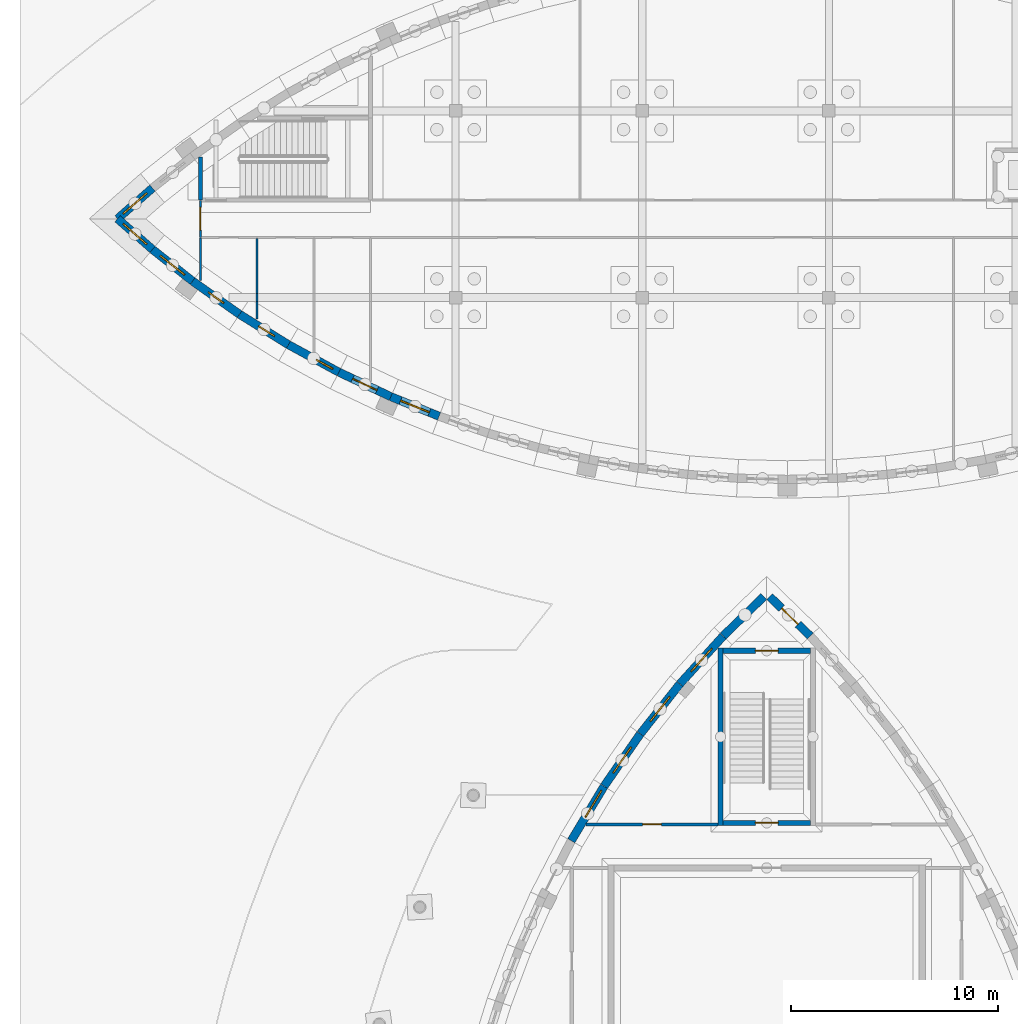
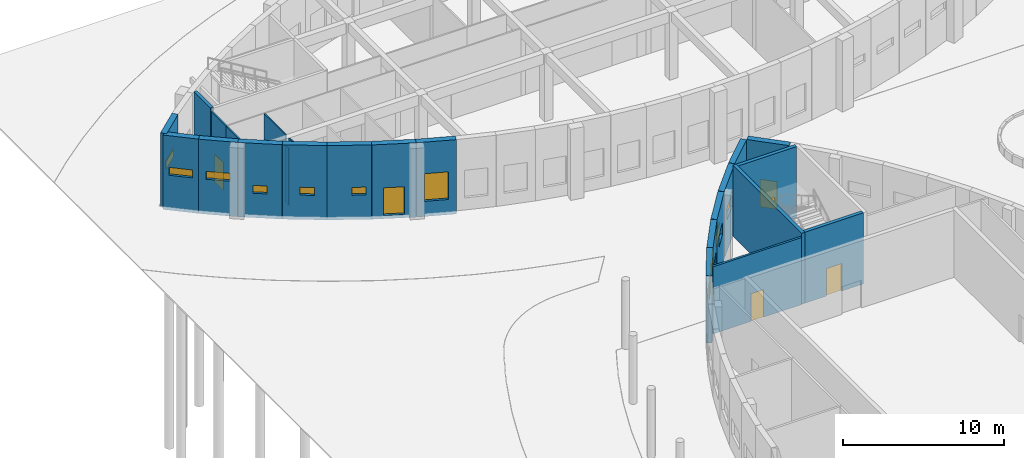
# One storey, part 55 of 82: 24 walls, 11 windows, 6 doors, 17 openings.
"""IFC4 building model written with IfcOpenShell, lengths in metres."""

from ifc_helpers import new_model, si_unit, direction, frame, frame_2d, origin, place, context, subcontext, project, spatial, rectangle, extrude, material, layer, layer_set, type_object, element, fill, save


model = new_model("IFC4")

# Units and contexts
model_context = context("Model", 3, precision=1e-05, world=origin(), true_north=direction((0.0, 1.0)))
body_context = subcontext(model_context, "Body", "Model", "MODEL_VIEW")
ifc_project = project(units=[si_unit("LENGTHUNIT", "METRE"), si_unit("AREAUNIT", "SQUARE_METRE"), si_unit("VOLUMEUNIT", "CUBIC_METRE"), si_unit("PLANEANGLEUNIT", "RADIAN"), si_unit("MASSUNIT", "GRAM", prefix="KILO")], contexts=[model_context])

# Site, building, storey
site_placement = place(None, origin())
site = spatial("IfcSite", under=ifc_project, at=site_placement, CompositionType="ELEMENT")
building_placement = place(site_placement, origin())
building = spatial("IfcBuilding", under=site, at=building_placement, Name="Tide Square Theatres", CompositionType="ELEMENT")
storey_placement = place(building_placement, origin())
storey = spatial("IfcBuildingStorey", under=building, at=storey_placement, Name="L00", CompositionType="ELEMENT", Elevation=0.0)

# Wall
ifc_material_1 = material(Name="Gypsum board on steel studs", Category="steel")
ifc_layer_1 = layer(ifc_material_1, 0.10009765625)
ifc_layer_set_1 = layer_set([ifc_layer_1], Name="Gypsum board on steel studs")
wall_type_1 = type_object("IfcWallType", Name="Partition 100 thick", PredefinedType="PARTITIONING", material=ifc_layer_set_1)
wall_1_placement = place(storey_placement, frame((8.699951171875, 94.8291015625, 0.0), z_axis=(0.0, 0.0, 1.0), x_axis=(0.0, 1.0, 0.0)))
element("IfcWall", 1, at=wall_1_placement, inside=storey, type_object=wall_type_1, Name="Scenery Workshops partition", PredefinedType="PARTITIONING", context=body_context, shape_type="SweptSolid", body=[
    extrude(rectangle(XDim=2.041015625, YDim=0.10009765625, at=frame_2d((1.0205078125, 0.0))), origin(), (0.0, 0.0, 1.0), 5.1201171875),
])

# Wall, opening, door
wall_2_placement = place(storey_placement, frame((8.699951171875, 96.89990234375, 0.0), z_axis=(0.0, 0.0, 1.0), x_axis=(0.0, 1.0, 0.0)))
wall_2 = element("IfcWall", 2, at=wall_2_placement, inside=storey, type_object=wall_type_1, Name="Scenery Workshops partition", PredefinedType="PARTITIONING", context=body_context, shape_type="SweptSolid", body=[
    extrude(rectangle(XDim=1.77001953125, YDim=0.10009765625, at=frame_2d((0.885009765625, 0.0))), origin(), (0.0, 0.0, 1.0), 5.1201171875),
])
opening_1_placement = place(wall_2_placement, frame((0.35009765625, 0.0, 0.0)))
opening_1 = element("IfcOpeningElement", 3, at=opening_1_placement, cuts=wall_2, Name="Opening W0-11", PredefinedType="OPENING", context=body_context, shape_type="SweptSolid", body=[
    extrude(rectangle(XDim=1.10009765625, YDim=2.10009765625, at=frame_2d((0.550048828125, 1.050048828125))), frame((0.0, 0.06005859375, 0.0), z_axis=(0.0, -1.0, 0.0), x_axis=(1.0, 0.0, 0.0)), (0.0, 0.0, 1.0), 0.1201171875),
])
ifc_material_2 = material(Name="Painted steel", Category="steel")
door_type_1 = type_object("IfcDoorType", Name="Door 1100 x 2100 single leaf", OperationType="NOTDEFINED", PredefinedType="DOOR", material=ifc_material_2)
door_1_placement = place(opening_1_placement, origin())
door_1 = element("IfcDoor", 4, at=door_1_placement, inside=storey, type_object=door_type_1, Name="Scenery Workshops door W0-11 to Plant Room W", OperationType="SINGLE_SWING_RIGHT", OverallHeight=2.10009765625, OverallWidth=1.10009765625, PredefinedType="DOOR", context=body_context, shape_type="SweptSolid", body=[
    extrude(rectangle(XDim=1.10009765625, YDim=2.10009765625, at=frame_2d((0.550048828125, 1.050048828125))), frame((0.0, 0.02490234375, 0.0), z_axis=(0.0, -1.0, 0.0), x_axis=(1.0, 0.0, 0.0)), (0.0, 0.0, 1.0), 0.050048828125),
])
fill(opening_1, door_1)

# Walls
wall_3_placement = place(storey_placement, frame((11.433349609375, 96.860107421875, 0.0), z_axis=(0.0, 0.0, 1.0), x_axis=(0.0, -1.0, 0.0)))
element("IfcWall", 5, at=wall_3_placement, inside=storey, type_object=wall_type_1, Name="Scenery Workshops partition", PredefinedType="PARTITIONING", context=body_context, shape_type="SweptSolid", body=[
    extrude(rectangle(XDim=2.66015625, YDim=0.10009765625, at=frame_2d((1.330078125, 0.0))), origin(), (0.0, 0.0, 1.0), 5.1201171875),
])
wall_4_placement = place(storey_placement, frame((11.433349609375, 94.199951171875, 0.0), z_axis=(0.0, 0.0, 1.0), x_axis=(0.0, -1.0, 0.0)))
element("IfcWall", 6, at=wall_4_placement, inside=storey, type_object=wall_type_1, Name="Scenery Workshops partition", PredefinedType="PARTITIONING", context=body_context, shape_type="SweptSolid", body=[
    extrude(rectangle(XDim=0.39990234375, YDim=0.10009765625, at=frame_2d((0.199951171875, 0.0))), origin(), (0.0, 0.0, 1.0), 4.320068359375),
])
wall_5_placement = place(storey_placement, frame((11.433349609375, 93.800048828125, 0.0), z_axis=(0.0, 0.0, 1.0), x_axis=(0.0, -1.0, 0.0)))
element("IfcWall", 7, at=wall_5_placement, inside=storey, type_object=wall_type_1, Name="Scenery Workshops partition", PredefinedType="PARTITIONING", context=body_context, shape_type="SweptSolid", body=[
    extrude(rectangle(XDim=0.84033203125, YDim=0.10009765625, at=frame_2d((0.420166015625, 0.0))), origin(), (0.0, 0.0, 1.0), 5.1201171875),
])

# Wall, opening, door
ifc_material_3 = material(Name="Gypsum board on steel studs", Category="steel")
ifc_layer_2 = layer(ifc_material_3, 0.14990234375)
ifc_layer_set_2 = layer_set([ifc_layer_2], Name="Gypsum board on steel studs")
wall_type_2 = type_object("IfcWallType", Name="Partition 150 thick", PredefinedType="PARTITIONING", material=ifc_layer_set_2)
wall_6_placement = place(storey_placement, frame((27.2841796875, 68.60009765625, 0.0), z_axis=(0.0, 0.0, 1.0), x_axis=(1.0, 0.0, 0.0)))
wall_6 = element("IfcWall", 8, at=wall_6_placement, inside=storey, type_object=wall_type_2, Name="Studio Theatre partition", PredefinedType="PARTITIONING", context=body_context, shape_type="SweptSolid", body=[
    extrude(rectangle(XDim=6.3662109375, YDim=0.14990234375, at=frame_2d((3.18310546875, 0.0))), origin(), (0.0, 0.0, 1.0), 5.10009765625),
])
opening_2_placement = place(wall_6_placement, frame((2.733154296875, 0.0, 0.0)))
opening_2 = element("IfcOpeningElement", 9, at=opening_2_placement, cuts=wall_6, Name="Opening S00-11", PredefinedType="OPENING", context=body_context, shape_type="SweptSolid", body=[
    extrude(rectangle(XDim=0.89990234375, YDim=2.10009765625, at=frame_2d((0.449951171875, 1.050048828125))), frame((0.0, 0.0849609375, 0.0), z_axis=(0.0, -1.0, 0.0), x_axis=(1.0, 0.0, 0.0)), (0.0, 0.0, 1.0), 0.169921875),
])
ifc_material_4 = material(Name="Hardwood timber", Category="wood")
door_type_2 = type_object("IfcDoorType", Name="Door 900 x 2100 single leaf", OperationType="NOTDEFINED", PredefinedType="DOOR", material=ifc_material_4)
door_2_placement = place(opening_2_placement, origin())
door_2 = element("IfcDoor", 10, at=door_2_placement, inside=storey, type_object=door_type_2, Name="Lighting Store door", OperationType="SINGLE_SWING_RIGHT", OverallHeight=2.10009765625, OverallWidth=0.89990234375, PredefinedType="DOOR", context=body_context, shape_type="SweptSolid", body=[
    extrude(rectangle(XDim=0.89990234375, YDim=2.10009765625, at=frame_2d((0.449951171875, 1.050048828125))), frame((0.0, 0.02490234375, 0.0), z_axis=(0.0, -1.0, 0.0), x_axis=(1.0, 0.0, 0.0)), (0.0, 0.0, 1.0), 0.050048828125),
])
fill(opening_2, door_2)

ifc_material_5 = material(Name="Concrete C40", Category="concrete")
ifc_layer_3 = layer(ifc_material_5, 0.39990234375)
ifc_layer_set_3 = layer_set([ifc_layer_3], Name="Concrete C40")
wall_type_3 = type_object("IfcWallType", Name="RC curved wall 400 thick", PredefinedType="SOLIDWALL", material=ifc_layer_set_3)
wall_7_placement = place(storey_placement, frame((38.094482421875, 77.686279296875, 0.0), z_axis=(0.0, 0.0, 1.0), x_axis=(-0.717243568607, 0.696822547922, 0.0)))
wall_7 = element("IfcWall", 11, at=wall_7_placement, inside=storey, type_object=wall_type_3, Name="Studio Theatre perimeter wall", PredefinedType="SOLIDWALL", context=body_context, shape_type="SweptSolid", body=[
    extrude(rectangle(XDim=2.725830078125, YDim=0.39990234375, at=frame_2d((1.36279296875, 0.0))), origin(), (0.0, 0.0, 1.0), 5.10009765625),
])
opening_3_placement = place(wall_7_placement, frame((0.81298828125, 0.0, 0.0)))
opening_3 = element("IfcOpeningElement", 12, at=opening_3_placement, cuts=wall_7, Name="Opening S00-04", PredefinedType="OPENING", context=body_context, shape_type="SweptSolid", body=[
    extrude(rectangle(XDim=1.10009765625, YDim=2.10009765625, at=frame_2d((0.550048828125, 1.050048828125))), frame((0.0, 0.2099609375, 0.0), z_axis=(0.0, -1.0, 0.0), x_axis=(1.0, 0.0, 0.0)), (0.0, 0.0, 1.0), 0.419921875),
])
door_3_placement = place(opening_3_placement, frame((1.10009765625, 0.0, 0.0), z_axis=(0.0, 0.0, 1.0), x_axis=(-1.0, 0.0, 0.0)))
door_3 = element("IfcDoor", 13, at=door_3_placement, inside=storey, type_object=door_type_1, Name="Studio Theatre exit passage door 1", OperationType="SINGLE_SWING_LEFT", OverallHeight=2.10009765625, OverallWidth=1.10009765625, PredefinedType="DOOR", context=body_context, shape_type="SweptSolid", body=[
    extrude(rectangle(XDim=1.10009765625, YDim=2.10009765625, at=frame_2d((0.550048828125, 1.050048828125))), frame((0.0, 0.02490234375, 0.0), z_axis=(0.0, -1.0, 0.0), x_axis=(1.0, 0.0, 0.0)), (0.0, 0.0, 1.0), 0.050048828125),
])
fill(opening_3, door_3)

# Wall
wall_8_placement = place(storey_placement, frame((35.860595703125, 79.585693359375, 0.0), z_axis=(0.0, 0.0, 1.0), x_axis=(-0.717243568607, -0.696822547922, 0.0)))
element("IfcWall", 14, at=wall_8_placement, inside=storey, type_object=wall_type_3, Name="Studio Theatre perimeter wall", PredefinedType="SOLIDWALL", context=body_context, shape_type="SweptSolid", body=[
    extrude(rectangle(XDim=2.725830078125, YDim=0.39990234375, at=frame_2d((1.36279296875, 0.0))), origin(), (0.0, 0.0, 1.0), 5.10009765625),
])

# Wall, opening, window
wall_9_placement = place(storey_placement, frame((33.896484375, 77.677001953125, 0.0), z_axis=(0.0, 0.0, 1.0), x_axis=(-0.67038553216, -0.742012963681, 0.0)))
wall_9 = element("IfcWall", 15, at=wall_9_placement, inside=storey, type_object=wall_type_3, Name="Studio Theatre perimeter wall", PredefinedType="SOLIDWALL", context=body_context, shape_type="SweptSolid", body=[
    extrude(rectangle(XDim=3.101806640625, YDim=0.39990234375, at=frame_2d((1.55078125, 0.0))), origin(), (0.0, 0.0, 1.0), 5.10009765625),
])
opening_4_placement = place(wall_9_placement, frame((0.80078125, 0.0, 2.39990234375)))
opening_4 = element("IfcOpeningElement", 16, at=opening_4_placement, cuts=wall_9, Name="Opening WN-04", PredefinedType="OPENING", context=body_context, shape_type="SweptSolid", body=[
    extrude(rectangle(XDim=1.5, YDim=0.89990234375, at=frame_2d((0.75, 0.449951171875))), frame((0.0, 0.2099609375, 0.0), z_axis=(0.0, -1.0, 0.0), x_axis=(1.0, 0.0, 0.0)), (0.0, 0.0, 1.0), 0.419921875),
])
ifc_material_6 = material(Name="Aluminium with laminated glass", Category="aluminium")
window_type_1 = type_object("IfcWindowType", Name="Window 1500 x 900", PartitioningType="SINGLE_PANEL", PredefinedType="WINDOW", material=ifc_material_6)
window_1_placement = place(opening_4_placement, origin())
window_1 = element("IfcWindow", 17, at=window_1_placement, inside=storey, type_object=window_type_1, Name="Studio Theatre Lighting Store window", OverallHeight=0.89990234375, OverallWidth=1.5, PartitioningType="SINGLE_PANEL", PredefinedType="WINDOW", context=body_context, shape_type="SweptSolid", body=[
    extrude(rectangle(XDim=1.5, YDim=0.89990234375, at=frame_2d((0.75, 0.449951171875))), frame((0.0, 0.030029296875, 0.0), z_axis=(0.0, -1.0, 0.0), x_axis=(1.0, 0.0, 0.0)), (0.0, 0.0, 1.0), 0.06005859375),
])
fill(opening_4, window_1)

wall_10_placement = place(storey_placement, frame((31.808837890625, 75.36572265625, 0.0), z_axis=(0.0, 0.0, 1.0), x_axis=(-0.620958553355, -0.783843399548, 0.0)))
wall_10 = element("IfcWall", 18, at=wall_10_placement, inside=storey, type_object=wall_type_3, Name="Studio Theatre perimeter wall", PredefinedType="SOLIDWALL", context=body_context, shape_type="SweptSolid", body=[
    extrude(rectangle(XDim=3.0576171875, YDim=0.39990234375, at=frame_2d((1.52880859375, 0.0))), origin(), (0.0, 0.0, 1.0), 5.10009765625),
])
opening_5_placement = place(wall_10_placement, frame((0.77880859375, 0.0, 2.39990234375)))
opening_5 = element("IfcOpeningElement", 19, at=opening_5_placement, cuts=wall_10, Name="Opening WN-04", PredefinedType="OPENING", context=body_context, shape_type="SweptSolid", body=[
    extrude(rectangle(XDim=1.5, YDim=0.89990234375, at=frame_2d((0.75, 0.449951171875))), frame((0.0, 0.2099609375, 0.0), z_axis=(0.0, -1.0, 0.0), x_axis=(1.0, 0.0, 0.0)), (0.0, 0.0, 1.0), 0.419921875),
])
window_2_placement = place(opening_5_placement, origin())
window_2 = element("IfcWindow", 20, at=window_2_placement, inside=storey, type_object=window_type_1, Name="Studio Theatre Lighting Store window", OverallHeight=0.89990234375, OverallWidth=1.5, PartitioningType="SINGLE_PANEL", PredefinedType="WINDOW", context=body_context, shape_type="SweptSolid", body=[
    extrude(rectangle(XDim=1.5, YDim=0.89990234375, at=frame_2d((0.75, 0.449951171875))), frame((0.0, 0.030029296875, 0.0), z_axis=(0.0, -1.0, 0.0), x_axis=(1.0, 0.0, 0.0)), (0.0, 0.0, 1.0), 0.06005859375),
])
fill(opening_5, window_2)

wall_11_placement = place(storey_placement, frame((29.90234375, 72.95849609375, 0.0), z_axis=(0.0, 0.0, 1.0), x_axis=(-0.569371892655, -0.822080073871, 0.0)))
wall_11 = element("IfcWall", 21, at=wall_11_placement, inside=storey, type_object=wall_type_3, Name="Studio Theatre perimeter wall", PredefinedType="SOLIDWALL", context=body_context, shape_type="SweptSolid", body=[
    extrude(rectangle(XDim=3.0576171875, YDim=0.39990234375, at=frame_2d((1.52880859375, 0.0))), origin(), (0.0, 0.0, 1.0), 5.10009765625),
])
opening_6_placement = place(wall_11_placement, frame((0.77880859375, 0.0, 2.39990234375)))
opening_6 = element("IfcOpeningElement", 22, at=opening_6_placement, cuts=wall_11, Name="Opening WN-04", PredefinedType="OPENING", context=body_context, shape_type="SweptSolid", body=[
    extrude(rectangle(XDim=1.5, YDim=0.89990234375, at=frame_2d((0.75, 0.449951171875))), frame((0.0, 0.2099609375, 0.0), z_axis=(0.0, -1.0, 0.0), x_axis=(1.0, 0.0, 0.0)), (0.0, 0.0, 1.0), 0.419921875),
])
window_3_placement = place(opening_6_placement, origin())
window_3 = element("IfcWindow", 23, at=window_3_placement, inside=storey, type_object=window_type_1, Name="Studio Theatre Lighting Store window", OverallHeight=0.89990234375, OverallWidth=1.5, PartitioningType="SINGLE_PANEL", PredefinedType="WINDOW", context=body_context, shape_type="SweptSolid", body=[
    extrude(rectangle(XDim=1.5, YDim=0.89990234375, at=frame_2d((0.75, 0.449951171875))), frame((0.0, 0.030029296875, 0.0), z_axis=(0.0, -1.0, 0.0), x_axis=(1.0, 0.0, 0.0)), (0.0, 0.0, 1.0), 0.06005859375),
])
fill(opening_6, window_3)

wall_12_placement = place(storey_placement, frame((28.154296875, 70.43408203125, 0.0), z_axis=(0.0, 0.0, 1.0), x_axis=(-0.515387841983, -0.856957042293, 0.0)))
wall_12 = element("IfcWall", 24, at=wall_12_placement, inside=storey, type_object=wall_type_3, Name="Studio Theatre perimeter wall", PredefinedType="SOLIDWALL", context=body_context, shape_type="SweptSolid", body=[
    extrude(rectangle(XDim=3.057861328125, YDim=0.39990234375, at=frame_2d((1.52880859375, 0.0))), origin(), (0.0, 0.0, 1.0), 5.10009765625),
])
opening_7_placement = place(wall_12_placement, frame((0.235107421875, 0.0, 2.39990234375)))
opening_7 = element("IfcOpeningElement", 25, at=opening_7_placement, cuts=wall_12, Name="Opening WN-04", PredefinedType="OPENING", context=body_context, shape_type="SweptSolid", body=[
    extrude(rectangle(XDim=1.5, YDim=0.89990234375, at=frame_2d((0.75, 0.449951171875))), frame((0.0, 0.2099609375, 0.0), z_axis=(0.0, -1.0, 0.0), x_axis=(1.0, 0.0, 0.0)), (0.0, 0.0, 1.0), 0.419921875),
])
window_4_placement = place(opening_7_placement, origin())
window_4 = element("IfcWindow", 26, at=window_4_placement, inside=storey, type_object=window_type_1, Name="Studio Theatre Lighting Store window", OverallHeight=0.89990234375, OverallWidth=1.5, PartitioningType="SINGLE_PANEL", PredefinedType="WINDOW", context=body_context, shape_type="SweptSolid", body=[
    extrude(rectangle(XDim=1.5, YDim=0.89990234375, at=frame_2d((0.75, 0.449951171875))), frame((0.0, 0.030029296875, 0.0), z_axis=(0.0, -1.0, 0.0), x_axis=(1.0, 0.0, 0.0)), (0.0, 0.0, 1.0), 0.06005859375),
])
fill(opening_7, window_4)

wall_13_placement = place(storey_placement, frame((4.703125, 97.800048828125, -0.25), z_axis=(0.0, 0.0, 1.0), x_axis=(0.751212351098, -0.660060605973, 0.0)))
wall_13 = element("IfcWall", 27, at=wall_13_placement, inside=storey, type_object=wall_type_3, Name="Scenery Workshops perimeter wall 000", PredefinedType="SOLIDWALL", context=body_context, shape_type="SweptSolid", body=[
    extrude(rectangle(XDim=2.24169921875, YDim=0.39990234375, at=frame_2d((1.120849609375, 0.0))), origin(), (0.0, 0.0, 1.0), 5.64990234375),
])
opening_8_placement = place(wall_13_placement, frame((0.370849609375, 0.0, 2.64990234375)))
opening_8 = element("IfcOpeningElement", 28, at=opening_8_placement, cuts=wall_13, Name="Opening WN-05", PredefinedType="OPENING", context=body_context, shape_type="SweptSolid", body=[
    extrude(rectangle(XDim=1.5, YDim=0.60009765625, at=frame_2d((0.75, 0.300048828125))), frame((0.0, 0.2099609375, 0.0), z_axis=(0.0, -1.0, 0.0), x_axis=(1.0, 0.0, 0.0)), (0.0, 0.0, 1.0), 0.419921875),
])
ifc_material_7 = material(Name="Aluminium with laminated glass", Category="aluminium")
window_type_2 = type_object("IfcWindowType", Name="Window 1500 x 600", PartitioningType="SINGLE_PANEL", PredefinedType="WINDOW", material=ifc_material_7)
window_5_placement = place(opening_8_placement, origin())
window_5 = element("IfcWindow", 29, at=window_5_placement, inside=storey, type_object=window_type_2, Name="Scenery Workshops window L00-1", OverallHeight=0.60009765625, OverallWidth=1.5, PartitioningType="SINGLE_PANEL", PredefinedType="WINDOW", context=body_context, shape_type="SweptSolid", body=[
    extrude(rectangle(XDim=1.5, YDim=0.60009765625, at=frame_2d((0.75, 0.300048828125))), frame((0.0, 0.030029296875, 0.0), z_axis=(0.0, -1.0, 0.0), x_axis=(1.0, 0.0, 0.0)), (0.0, 0.0, 1.0), 0.06005859375),
])
fill(opening_8, window_5)

wall_14_placement = place(storey_placement, frame((6.38720703125, 96.3203125, -0.25), z_axis=(0.0, 0.0, 1.0), x_axis=(0.784278812541, -0.620408530082, 0.0)))
wall_14 = element("IfcWall", 30, at=wall_14_placement, inside=storey, type_object=wall_type_3, Name="Scenery Workshops perimeter wall 001", PredefinedType="SOLIDWALL", context=body_context, shape_type="SweptSolid", body=[
    extrude(rectangle(XDim=2.464111328125, YDim=0.39990234375, at=frame_2d((1.23193359375, 0.0))), origin(), (0.0, 0.0, 1.0), 5.64990234375),
])
opening_9_placement = place(wall_14_placement, frame((0.48193359375, 0.0, 2.64990234375)))
opening_9 = element("IfcOpeningElement", 31, at=opening_9_placement, cuts=wall_14, Name="Opening WN-05", PredefinedType="OPENING", context=body_context, shape_type="SweptSolid", body=[
    extrude(rectangle(XDim=1.5, YDim=0.60009765625, at=frame_2d((0.75, 0.300048828125))), frame((0.0, 0.2099609375, 0.0), z_axis=(0.0, -1.0, 0.0), x_axis=(1.0, 0.0, 0.0)), (0.0, 0.0, 1.0), 0.419921875),
])
window_6_placement = place(opening_9_placement, origin())
window_6 = element("IfcWindow", 32, at=window_6_placement, inside=storey, type_object=window_type_2, Name="Scenery Workshops window L00-2", OverallHeight=0.60009765625, OverallWidth=1.5, PartitioningType="SINGLE_PANEL", PredefinedType="WINDOW", context=body_context, shape_type="SweptSolid", body=[
    extrude(rectangle(XDim=1.5, YDim=0.60009765625, at=frame_2d((0.75, 0.300048828125))), frame((0.0, 0.030029296875, 0.0), z_axis=(0.0, -1.0, 0.0), x_axis=(1.0, 0.0, 0.0)), (0.0, 0.0, 1.0), 0.06005859375),
])
fill(opening_9, window_6)

wall_15_placement = place(storey_placement, frame((8.31982421875, 94.79150390625, -0.25), z_axis=(0.0, 0.0, 1.0), x_axis=(0.817028877428, -0.576596751161, 0.0)))
wall_15 = element("IfcWall", 33, at=wall_15_placement, inside=storey, type_object=wall_type_3, Name="Scenery Workshops perimeter wall 002", PredefinedType="SOLIDWALL", context=body_context, shape_type="SweptSolid", body=[
    extrude(rectangle(XDim=2.772216796875, YDim=0.39990234375, at=frame_2d((1.38623046875, 0.0))), origin(), (0.0, 0.0, 1.0), 5.64990234375),
])
opening_10_placement = place(wall_15_placement, frame((0.93603515625, 0.0, 1.85009765625)))
opening_10 = element("IfcOpeningElement", 34, at=opening_10_placement, cuts=wall_15, Name="Opening WN-12", PredefinedType="OPENING", context=body_context, shape_type="SweptSolid", body=[
    extrude(rectangle(XDim=0.89990234375, YDim=0.60009765625, at=frame_2d((0.449951171875, 0.300048828125))), frame((0.0, 0.2099609375, 0.0), z_axis=(0.0, -1.0, 0.0), x_axis=(1.0, 0.0, 0.0)), (0.0, 0.0, 1.0), 0.419921875),
])
ifc_material_8 = material(Name="Aluminium with laminated glass", Category="aluminium")
window_type_3 = type_object("IfcWindowType", Name="Window 900 x 600", PartitioningType="SINGLE_PANEL", PredefinedType="WINDOW", material=ifc_material_8)
window_7_placement = place(opening_10_placement, origin())
window_7 = element("IfcWindow", 35, at=window_7_placement, inside=storey, type_object=window_type_3, Name="Scenery Workshops window L00-3", OverallHeight=0.60009765625, OverallWidth=0.89990234375, PartitioningType="SINGLE_PANEL", PredefinedType="WINDOW", context=body_context, shape_type="SweptSolid", body=[
    extrude(rectangle(XDim=0.89990234375, YDim=0.60009765625, at=frame_2d((0.449951171875, 0.300048828125))), frame((0.0, 0.030029296875, 0.0), z_axis=(0.0, -1.0, 0.0), x_axis=(1.0, 0.0, 0.0)), (0.0, 0.0, 1.0), 0.06005859375),
])
fill(opening_10, window_7)

wall_16_placement = place(storey_placement, frame((10.584716796875, 93.193115234375, -0.25), z_axis=(0.0, 0.0, 1.0), x_axis=(0.84912946359, -0.528184772653, 0.0)))
wall_16 = element("IfcWall", 36, at=wall_16_placement, inside=storey, type_object=wall_type_3, Name="Scenery Workshops perimeter wall 003", PredefinedType="SOLIDWALL", context=body_context, shape_type="SweptSolid", body=[
    extrude(rectangle(XDim=2.77197265625, YDim=0.39990234375, at=frame_2d((1.385986328125, 0.0))), origin(), (0.0, 0.0, 1.0), 5.64990234375),
])
opening_11_placement = place(wall_16_placement, frame((1.0859375, 0.0, 1.85009765625)))
opening_11 = element("IfcOpeningElement", 37, at=opening_11_placement, cuts=wall_16, Name="Opening WN-12", PredefinedType="OPENING", context=body_context, shape_type="SweptSolid", body=[
    extrude(rectangle(XDim=0.89990234375, YDim=0.60009765625, at=frame_2d((0.449951171875, 0.300048828125))), frame((0.0, 0.2099609375, 0.0), z_axis=(0.0, -1.0, 0.0), x_axis=(1.0, 0.0, 0.0)), (0.0, 0.0, 1.0), 0.419921875),
])
window_8_placement = place(opening_11_placement, origin())
window_8 = element("IfcWindow", 38, at=window_8_placement, inside=storey, type_object=window_type_3, Name="Scenery Workshops window L00-4", OverallHeight=0.60009765625, OverallWidth=0.89990234375, PartitioningType="SINGLE_PANEL", PredefinedType="WINDOW", context=body_context, shape_type="SweptSolid", body=[
    extrude(rectangle(XDim=0.89990234375, YDim=0.60009765625, at=frame_2d((0.449951171875, 0.300048828125))), frame((0.0, 0.030029296875, 0.0), z_axis=(0.0, -1.0, 0.0), x_axis=(1.0, 0.0, 0.0)), (0.0, 0.0, 1.0), 0.06005859375),
])
fill(opening_11, window_8)

wall_17_placement = place(storey_placement, frame((12.9384765625, 91.72900390625, -0.25), z_axis=(0.0, 0.0, 1.0), x_axis=(0.878292493566, -0.478123724308, 0.0)))
wall_17 = element("IfcWall", 39, at=wall_17_placement, inside=storey, type_object=wall_type_3, Name="Scenery Workshops perimeter wall 004", PredefinedType="SOLIDWALL", context=body_context, shape_type="SweptSolid", body=[
    extrude(rectangle(XDim=2.771728515625, YDim=0.39990234375, at=frame_2d((1.3857421875, 0.0))), origin(), (0.0, 0.0, 1.0), 5.64990234375),
])
opening_12_placement = place(wall_17_placement, frame((1.535888671875, 0.0, 1.85009765625)))
opening_12 = element("IfcOpeningElement", 40, at=opening_12_placement, cuts=wall_17, Name="Opening WN-12", PredefinedType="OPENING", context=body_context, shape_type="SweptSolid", body=[
    extrude(rectangle(XDim=0.89990234375, YDim=0.60009765625, at=frame_2d((0.449951171875, 0.300048828125))), frame((0.0, 0.2099609375, 0.0), z_axis=(0.0, -1.0, 0.0), x_axis=(1.0, 0.0, 0.0)), (0.0, 0.0, 1.0), 0.419921875),
])
window_9_placement = place(opening_12_placement, origin())
window_9 = element("IfcWindow", 41, at=window_9_placement, inside=storey, type_object=window_type_3, Name="Scenery Workshops window L00-5", OverallHeight=0.60009765625, OverallWidth=0.89990234375, PartitioningType="SINGLE_PANEL", PredefinedType="WINDOW", context=body_context, shape_type="SweptSolid", body=[
    extrude(rectangle(XDim=0.89990234375, YDim=0.60009765625, at=frame_2d((0.449951171875, 0.300048828125))), frame((0.0, 0.030029296875, 0.0), z_axis=(0.0, -1.0, 0.0), x_axis=(1.0, 0.0, 0.0)), (0.0, 0.0, 1.0), 0.06005859375),
])
fill(opening_12, window_9)

# Wall, opening, door
wall_18_placement = place(storey_placement, frame((15.372802734375, 90.40380859375, -0.25), z_axis=(0.0, 0.0, 1.0), x_axis=(0.904527098751, -0.42641614372, 0.0)))
wall_18 = element("IfcWall", 42, at=wall_18_placement, inside=storey, type_object=wall_type_3, Name="Scenery Workshops perimeter wall 005", PredefinedType="SOLIDWALL", context=body_context, shape_type="SweptSolid", body=[
    extrude(rectangle(XDim=2.772216796875, YDim=0.39990234375, at=frame_2d((1.38623046875, 0.0))), origin(), (0.0, 0.0, 1.0), 5.64990234375),
])
opening_13_placement = place(wall_18_placement, frame((0.736083984375, 0.0, 0.25)))
opening_13 = element("IfcOpeningElement", 43, at=opening_13_placement, cuts=wall_18, Name="Opening W0-03", PredefinedType="OPENING", context=body_context, shape_type="SweptSolid", body=[
    extrude(rectangle(XDim=1.300048828125, YDim=2.10009765625, at=frame_2d((0.64990234375, 1.050048828125))), frame((0.0, 0.2099609375, 0.0), z_axis=(0.0, -1.0, 0.0), x_axis=(1.0, 0.0, 0.0)), (0.0, 0.0, 1.0), 0.419921875),
])
ifc_material_9 = material(Name="Hardwood timber", Category="wood")
door_type_3 = type_object("IfcDoorType", Name="Door 1300 x 2100 double leaf", OperationType="DOUBLE_DOOR_SINGLE_SWING", PredefinedType="DOOR", material=ifc_material_9)
door_4_placement = place(opening_13_placement, origin())
door_4 = element("IfcDoor", 44, at=door_4_placement, inside=storey, type_object=door_type_3, Name="Scenery Workshops workshop exit door W0-03", OperationType="DOUBLE_DOOR_SINGLE_SWING", OverallHeight=2.10009765625, OverallWidth=1.300048828125, PredefinedType="DOOR", context=body_context, shape_type="SweptSolid", body=[
    extrude(rectangle(XDim=1.300048828125, YDim=2.10009765625, at=frame_2d((0.64990234375, 1.050048828125))), frame((0.0, 0.02490234375, 0.0), z_axis=(0.0, -1.0, 0.0), x_axis=(1.0, 0.0, 0.0)), (0.0, 0.0, 1.0), 0.050048828125),
])
fill(opening_13, door_4)

# Wall, opening, window
wall_19_placement = place(storey_placement, frame((17.88037109375, 89.2216796875, -0.25), z_axis=(0.0, 0.0, 1.0), x_axis=(0.926722795862, -0.375745738007, 0.0)))
wall_19 = element("IfcWall", 45, at=wall_19_placement, inside=storey, type_object=wall_type_3, Name="Scenery Workshops perimeter wall 006", PredefinedType="SOLIDWALL", context=body_context, shape_type="SweptSolid", body=[
    extrude(rectangle(XDim=2.5107421875, YDim=0.39990234375, at=frame_2d((1.25537109375, 0.0))), origin(), (0.0, 0.0, 1.0), 5.64990234375),
])
opening_14_placement = place(wall_19_placement, frame((0.50537109375, 0.0, 1.14990234375)))
opening_14 = element("IfcOpeningElement", 46, at=opening_14_placement, cuts=wall_19, Name="Opening WN-01", PredefinedType="OPENING", context=body_context, shape_type="SweptSolid", body=[
    extrude(rectangle(XDim=1.5, YDim=2.10009765625, at=frame_2d((0.75, 1.050048828125))), frame((0.0, 0.2099609375, 0.0), z_axis=(0.0, -1.0, 0.0), x_axis=(1.0, 0.0, 0.0)), (0.0, 0.0, 1.0), 0.419921875),
])
ifc_material_10 = material(Name="Aluminium with laminated glass", Category="aluminium")
window_type_4 = type_object("IfcWindowType", Name="Window 1500 x 2100", PartitioningType="SINGLE_PANEL", PredefinedType="WINDOW", material=ifc_material_10)
window_10_placement = place(opening_14_placement, origin())
window_10 = element("IfcWindow", 47, at=window_10_placement, inside=storey, type_object=window_type_4, Name="Scenery Workshops window L00-6", OverallHeight=2.10009765625, OverallWidth=1.5, PartitioningType="SINGLE_PANEL", PredefinedType="WINDOW", context=body_context, shape_type="SweptSolid", body=[
    extrude(rectangle(XDim=1.5, YDim=2.10009765625, at=frame_2d((0.75, 1.050048828125))), frame((0.0, 0.030029296875, 0.0), z_axis=(0.0, -1.0, 0.0), x_axis=(1.0, 0.0, 0.0)), (0.0, 0.0, 1.0), 0.06005859375),
])
fill(opening_14, window_10)

wall_20_placement = place(storey_placement, frame((6.38720703125, 99.27978515625, -0.25), z_axis=(0.0, 0.0, 1.0), x_axis=(-0.751212351098, -0.660060605973, 0.0)))
wall_20 = element("IfcWall", 48, at=wall_20_placement, inside=storey, type_object=wall_type_3, Name="Scenery Workshops perimeter wall 055", PredefinedType="SOLIDWALL", context=body_context, shape_type="SweptSolid", body=[
    extrude(rectangle(XDim=2.24169921875, YDim=0.39990234375, at=frame_2d((1.120849609375, 0.0))), origin(), (0.0, 0.0, 1.0), 5.64990234375),
])
opening_15_placement = place(wall_20_placement, frame((0.370849609375, 0.0, 2.64990234375)))
opening_15 = element("IfcOpeningElement", 49, at=opening_15_placement, cuts=wall_20, Name="Opening WN-05", PredefinedType="OPENING", context=body_context, shape_type="SweptSolid", body=[
    extrude(rectangle(XDim=1.5, YDim=0.60009765625, at=frame_2d((0.75, 0.300048828125))), frame((0.0, 0.2099609375, 0.0), z_axis=(0.0, -1.0, 0.0), x_axis=(1.0, 0.0, 0.0)), (0.0, 0.0, 1.0), 0.419921875),
])
window_11_placement = place(opening_15_placement, origin())
window_11 = element("IfcWindow", 50, at=window_11_placement, inside=storey, type_object=window_type_2, Name="Scenery Workshops window L00-43", OverallHeight=0.60009765625, OverallWidth=1.5, PartitioningType="SINGLE_PANEL", PredefinedType="WINDOW", context=body_context, shape_type="SweptSolid", body=[
    extrude(rectangle(XDim=1.5, YDim=0.60009765625, at=frame_2d((0.75, 0.300048828125))), frame((0.0, 0.030029296875, 0.0), z_axis=(0.0, -1.0, 0.0), x_axis=(1.0, 0.0, 0.0)), (0.0, 0.0, 1.0), 0.06005859375),
])
fill(opening_15, window_11)

# Walls
ifc_material_11 = material(Name="Concrete C40", Category="concrete")
ifc_layer_4 = layer(ifc_material_11, 0.199951171875)
ifc_layer_set_4 = layer_set([ifc_layer_4], Name="Concrete C40")
wall_type_4 = type_object("IfcWallType", Name="RC shear wall 200 thick", PredefinedType="SHEAR", material=ifc_layer_set_4)
wall_21_placement = place(storey_placement, frame((8.699951171875, 98.699951171875, -0.25), z_axis=(0.0, 0.0, 1.0), x_axis=(0.0, 1.0, 0.0)))
element("IfcWall", 51, at=wall_21_placement, inside=storey, type_object=wall_type_4, Name="Scenery Workshops stair enclosure wall", PredefinedType="SHEAR", context=body_context, shape_type="SweptSolid", body=[
    extrude(rectangle(XDim=2.07080078125, YDim=0.199951171875, at=frame_2d((1.035400390625, 0.0))), origin(), (0.0, 0.0, 1.0), 5.64990234375),
])
ifc_material_12 = material(Name="Concrete C40", Category="concrete")
ifc_layer_5 = layer(ifc_material_12, 0.25)
ifc_layer_set_5 = layer_set([ifc_layer_5], Name="Concrete C40")
wall_type_5 = type_object("IfcWallType", Name="RC shear wall 250 thick", PredefinedType="SHEAR", material=ifc_layer_set_5)
wall_22_placement = place(storey_placement, frame((33.77490234375, 77.10009765625, 0.0), z_axis=(0.0, 0.0, 1.0), x_axis=(0.0, -1.0, 0.0)))
element("IfcWall", 52, at=wall_22_placement, inside=storey, type_object=wall_type_5, Name="Studio Theatre Stair S1 shaft wall", PredefinedType="SHEAR", context=body_context, shape_type="SweptSolid", body=[
    extrude(rectangle(XDim=8.550048828125, YDim=0.25, at=frame_2d((4.27490234375, 0.0))), origin(), (0.0, 0.0, 1.0), 5.39990234375),
])

# Wall, opening, door
wall_23_placement = place(storey_placement, frame((33.89990234375, 76.97509765625, 0.0), z_axis=(0.0, 0.0, 1.0), x_axis=(1.0, 0.0, 0.0)))
wall_23 = element("IfcWall", 53, at=wall_23_placement, inside=storey, type_object=wall_type_5, Name="Studio Theatre Stair S1 shaft wall", PredefinedType="SHEAR", context=body_context, shape_type="SweptSolid", body=[
    extrude(rectangle(XDim=4.2001953125, YDim=0.25, at=frame_2d((2.10009765625, 0.0))), origin(), (0.0, 0.0, 1.0), 5.39990234375),
])
opening_16_placement = place(wall_23_placement, frame((1.550048828125, 0.0, 0.0)))
opening_16 = element("IfcOpeningElement", 54, at=opening_16_placement, cuts=wall_23, Name="Opening S00-26", PredefinedType="OPENING", context=body_context, shape_type="SweptSolid", body=[
    extrude(rectangle(XDim=1.10009765625, YDim=2.10009765625, at=frame_2d((0.550048828125, 1.050048828125))), frame((0.0, 0.135009765625, 0.0), z_axis=(0.0, -1.0, 0.0), x_axis=(1.0, 0.0, 0.0)), (0.0, 0.0, 1.0), 0.27001953125),
])
door_5_placement = place(opening_16_placement, origin())
door_5 = element("IfcDoor", 55, at=door_5_placement, inside=storey, type_object=door_type_1, Name="Studio Theatre stair exit door", OperationType="SINGLE_SWING_RIGHT", OverallHeight=2.10009765625, OverallWidth=1.10009765625, PredefinedType="DOOR", context=body_context, shape_type="SweptSolid", body=[
    extrude(rectangle(XDim=1.10009765625, YDim=2.10009765625, at=frame_2d((0.550048828125, 1.050048828125))), frame((0.0, 0.02490234375, 0.0), z_axis=(0.0, -1.0, 0.0), x_axis=(1.0, 0.0, 0.0)), (0.0, 0.0, 1.0), 0.050048828125),
])
fill(opening_16, door_5)

wall_24_placement = place(storey_placement, frame((38.10009765625, 68.675048828125, 0.0), z_axis=(0.0, 0.0, 1.0), x_axis=(-1.0, 0.0, 0.0)))
wall_24 = element("IfcWall", 56, at=wall_24_placement, inside=storey, type_object=wall_type_5, Name="Studio Theatre Stair S1 shaft wall", PredefinedType="SHEAR", context=body_context, shape_type="SweptSolid", body=[
    extrude(rectangle(XDim=4.2001953125, YDim=0.25, at=frame_2d((2.10009765625, 0.0))), origin(), (0.0, 0.0, 1.0), 5.39990234375),
])
opening_17_placement = place(wall_24_placement, frame((1.550048828125, 0.0, 0.0)))
opening_17 = element("IfcOpeningElement", 57, at=opening_17_placement, cuts=wall_24, Name="Opening S00-25", PredefinedType="OPENING", context=body_context, shape_type="SweptSolid", body=[
    extrude(rectangle(XDim=1.10009765625, YDim=2.10009765625, at=frame_2d((0.550048828125, 1.050048828125))), frame((0.0, 0.135009765625, 0.0), z_axis=(0.0, -1.0, 0.0), x_axis=(1.0, 0.0, 0.0)), (0.0, 0.0, 1.0), 0.27001953125),
])
door_6_placement = place(opening_17_placement, origin())
door_6 = element("IfcDoor", 58, at=door_6_placement, inside=storey, type_object=door_type_1, Name="Studio Theatre stair door", OperationType="SINGLE_SWING_RIGHT", OverallHeight=2.10009765625, OverallWidth=1.10009765625, PredefinedType="DOOR", context=body_context, shape_type="SweptSolid", body=[
    extrude(rectangle(XDim=1.10009765625, YDim=2.10009765625, at=frame_2d((0.550048828125, 1.050048828125))), frame((0.0, 0.02490234375, 0.0), z_axis=(0.0, -1.0, 0.0), x_axis=(1.0, 0.0, 0.0)), (0.0, 0.0, 1.0), 0.050048828125),
])
fill(opening_17, door_6)

save(model, "model.ifc")
